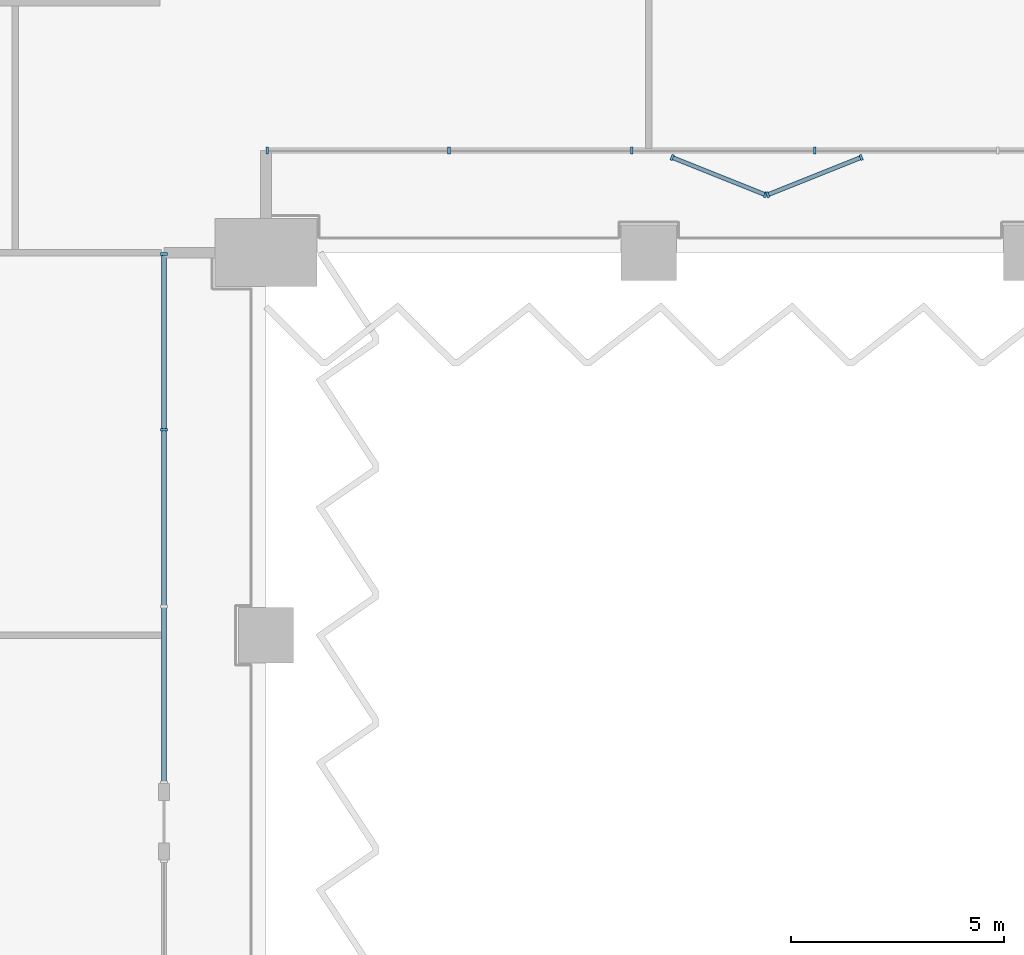
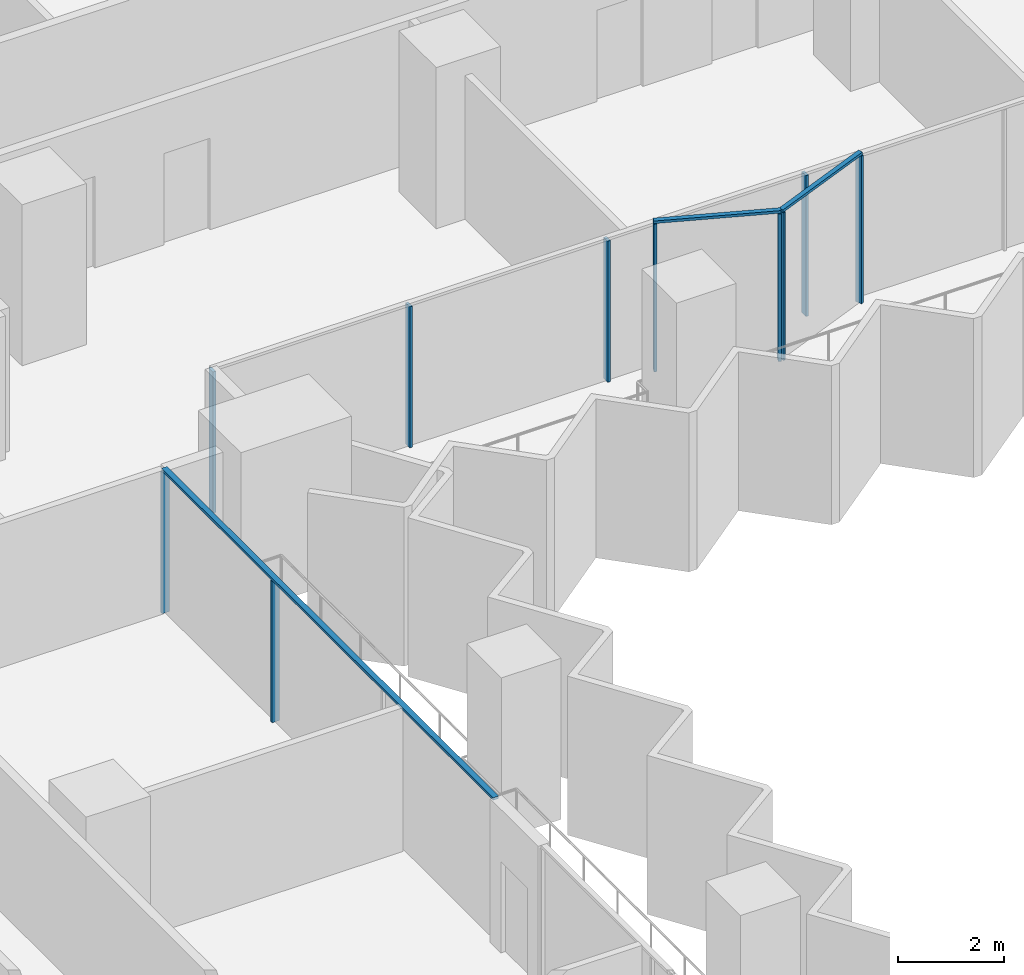
# One storey, part 4 of 28: 13 members, 4 elements without a shape of their own.
"""IFC4 building model written with IfcOpenShell, lengths in metres."""

from ifc_helpers import new_model, si_unit, direction, frame, origin, origin_2d, place, context, subcontext, project, spatial, rectangle, extrude, material, material_profile, profile_set, type_object, element, aggregate, save


model = new_model("IFC4")

# Units and contexts
model_context = context("Model", 3, precision=1e-05, world=origin(), true_north=direction((0.0, 1.0)))
body_context = subcontext(model_context, "Body", "Model", "MODEL_VIEW")
ifc_project = project(units=[si_unit("LENGTHUNIT", "METRE"), si_unit("AREAUNIT", "SQUARE_METRE"), si_unit("VOLUMEUNIT", "CUBIC_METRE"), si_unit("PLANEANGLEUNIT", "RADIAN"), si_unit("MASSUNIT", "GRAM", prefix="KILO")], contexts=[model_context])

# Site, building, storey
site_placement = place(None, origin())
site = spatial("IfcSite", under=ifc_project, at=site_placement, CompositionType="ELEMENT")
building_placement = place(site_placement, origin())
building = spatial("IfcBuilding", under=site, at=building_placement, Name="Hunhe Ridgeline Campus", CompositionType="ELEMENT")
storey_placement = place(building_placement, frame((0.0, 0.0, 35.800048828125)))
storey = spatial("IfcBuildingStorey", under=building, at=storey_placement, Name="L07", CompositionType="ELEMENT", Elevation=35.800048828125)

# Curtain wall, members
ifc_material = material(Name="Aluminium 6063", Category="aluminium")
curtain_wall_type_1 = type_object("IfcCurtainWallType", Name="Curtain wall CW-1", PredefinedType="NOTDEFINED", material=ifc_material)
curtain_wall_1_placement = place(storey_placement, origin())
curtain_wall_1 = element("IfcCurtainWall", 1, at=curtain_wall_1_placement, inside=storey, type_object=curtain_wall_type_1, Name="Curtain wall 12", PredefinedType="NOTDEFINED")
ifc_material_profile_1 = material_profile(ifc_material, rectangle(XDim=0.159912109375, YDim=0.06005859375, at=origin_2d()))
ifc_profile_set_1 = profile_set([ifc_material_profile_1], Name="Aluminium 6063")
member_type_1 = type_object("IfcMemberType", Name="CW-1 aluminium mullion", PredefinedType="MULLION", material=ifc_profile_set_1)
member_1_placement = place(storey_placement, frame((42.59912109375, 49.839599609375, 0.0), z_axis=(0.0, 0.0, 1.0), x_axis=(-1.0, 1.60239e-07, 0.0)))
member_1 = element("IfcMember", 2, at=member_1_placement, type_object=member_type_1, Name="CW-1 mullion 3", PredefinedType="MULLION", context=body_context, shape_type="SweptSolid", body=[
    extrude(rectangle(XDim=0.159912109375, YDim=0.06005859375, at=origin_2d()), origin(), (0.0, 0.0, 1.0), 3.239990234375),
])
member_2_placement = place(storey_placement, frame((42.59912109375, 53.97021484375, 0.0), z_axis=(0.0, 0.0, 1.0), x_axis=(-1.0, 1.60239e-07, 0.0)))
member_2 = element("IfcMember", 3, at=member_2_placement, type_object=member_type_1, Name="CW-1 mullion 4", PredefinedType="MULLION", context=body_context, shape_type="SweptSolid", body=[
    extrude(rectangle(XDim=0.159912109375, YDim=0.06005859375, at=origin_2d()), origin(), (0.0, 0.0, 1.0), 3.239990234375),
])

curtain_wall_2_placement = place(storey_placement, origin())
curtain_wall_2 = element("IfcCurtainWall", 4, at=curtain_wall_2_placement, inside=storey, type_object=curtain_wall_type_1, Name="Curtain wall 13", PredefinedType="NOTDEFINED")
member_3_placement = place(storey_placement, frame((45.029541015625, 56.40087890625, 0.0), z_axis=(0.0, 0.0, 1.0), x_axis=(-3.602063e-06, 0.999999999994, 0.0)))
member_3 = element("IfcMember", 5, at=member_3_placement, type_object=member_type_1, Name="CW-1 mullion 1", PredefinedType="MULLION", context=body_context, shape_type="SweptSolid", body=[
    extrude(rectangle(XDim=0.159912109375, YDim=0.06005859375, at=origin_2d()), origin(), (0.0, 0.0, 1.0), 3.239990234375),
])
member_4_placement = place(storey_placement, frame((49.302490234375, 56.40087890625, 0.0), z_axis=(0.0, 0.0, 1.0), x_axis=(-3.602063e-06, 0.999999999994, 0.0)))
member_4 = element("IfcMember", 6, at=member_4_placement, type_object=member_type_1, Name="CW-1 mullion 2", PredefinedType="MULLION", context=body_context, shape_type="SweptSolid", body=[
    extrude(rectangle(XDim=0.159912109375, YDim=0.06005859375, at=origin_2d()), origin(), (0.0, 0.0, 1.0), 3.239990234375),
])
member_5_placement = place(storey_placement, frame((53.605712890625, 56.40087890625, 0.0), z_axis=(0.0, 0.0, 1.0), x_axis=(-3.602063e-06, 0.999999999994, 0.0)))
member_5 = element("IfcMember", 7, at=member_5_placement, type_object=member_type_1, Name="CW-1 mullion 3", PredefinedType="MULLION", context=body_context, shape_type="SweptSolid", body=[
    extrude(rectangle(XDim=0.159912109375, YDim=0.06005859375, at=origin_2d()), origin(), (0.0, 0.0, 1.0), 3.239990234375),
])
member_6_placement = place(storey_placement, frame((57.90869140625, 56.40087890625, 0.0), z_axis=(0.0, 0.0, 1.0), x_axis=(-3.602063e-06, 0.999999999994, 0.0)))
member_6 = element("IfcMember", 8, at=member_6_placement, type_object=member_type_1, Name="CW-1 mullion 4", PredefinedType="MULLION", context=body_context, shape_type="SweptSolid", body=[
    extrude(rectangle(XDim=0.159912109375, YDim=0.06005859375, at=origin_2d()), origin(), (0.0, 0.0, 1.0), 3.239990234375),
])
aggregate(curtain_wall_2, [member_3, member_4, member_5, member_6])

# Member
ifc_material_profile_2 = material_profile(ifc_material, rectangle(XDim=0.1201171875, YDim=0.06005859375, at=origin_2d()))
ifc_profile_set_2 = profile_set([ifc_material_profile_2], Name="Aluminium 6063")
member_type_2 = type_object("IfcMemberType", Name="CW-1 aluminium transom", PredefinedType="USERDEFINED", material=ifc_profile_set_2)
member_7_placement = place(storey_placement, frame((42.59912109375, 41.518310546875, 3.27001953125), z_axis=(0.0, 1.0, 0.0), x_axis=(-1.0, 0.0, 0.0)))
member_7 = element("IfcMember", 9, at=member_7_placement, type_object=member_type_2, Name="CW-1 transom 1", ObjectType="TRANSOM", PredefinedType="USERDEFINED", context=body_context, shape_type="SweptSolid", body=[
    extrude(rectangle(XDim=0.1201171875, YDim=0.06005859375, at=origin_2d()), origin(), (0.0, 0.0, 1.0), 12.481689453125),
])

aggregate(curtain_wall_1, [member_7, member_1, member_2])

# Curtain wall, members
curtain_wall_type_2 = type_object("IfcCurtainWallType", Name="Curtain wall CW-2", PredefinedType="NOTDEFINED", material=ifc_material)
curtain_wall_3_placement = place(storey_placement, origin())
curtain_wall_3 = element("IfcCurtainWall", 10, at=curtain_wall_3_placement, inside=storey, type_object=curtain_wall_type_2, Name="Curtain wall B01a", PredefinedType="NOTDEFINED")
ifc_material_profile_3 = material_profile(ifc_material, rectangle(XDim=0.139892578125, YDim=0.06005859375, at=origin_2d()))
ifc_profile_set_3 = profile_set([ifc_material_profile_3], Name="Aluminium 6063")
member_type_3 = type_object("IfcMemberType", Name="CW-2 aluminium mullion", PredefinedType="MULLION", material=ifc_profile_set_3)
member_8_placement = place(storey_placement, frame((54.55224609375, 56.23974609375, 0.0), z_axis=(0.0, 0.0, 1.0), x_axis=(0.371387403557, 0.928477999997, 0.0)))
member_8 = element("IfcMember", 11, at=member_8_placement, type_object=member_type_3, Name="CW-2 mullion 1", PredefinedType="MULLION", context=body_context, shape_type="SweptSolid", body=[
    extrude(rectangle(XDim=0.139892578125, YDim=0.06005859375, at=origin_2d()), origin(), (0.0, 0.0, 1.0), 3.389892578125),
])
member_9_placement = place(storey_placement, frame((56.74658203125, 55.362060546875, 0.0), z_axis=(0.0, 0.0, 1.0), x_axis=(0.371387403557, 0.928477999997, 0.0)))
member_9 = element("IfcMember", 12, at=member_9_placement, type_object=member_type_3, Name="CW-2 mullion 2", PredefinedType="MULLION", context=body_context, shape_type="SweptSolid", body=[
    extrude(rectangle(XDim=0.139892578125, YDim=0.06005859375, at=origin_2d()), origin(), (0.0, 0.0, 1.0), 3.389892578125),
])

curtain_wall_4_placement = place(storey_placement, origin())
curtain_wall_4 = element("IfcCurtainWall", 13, at=curtain_wall_4_placement, inside=storey, type_object=curtain_wall_type_2, Name="Curtain wall B01b", PredefinedType="NOTDEFINED")
member_10_placement = place(storey_placement, frame((56.80224609375, 55.362060546875, 0.0), z_axis=(0.0, 0.0, 1.0), x_axis=(-0.371393949135, 0.928475381766, 0.0)))
member_10 = element("IfcMember", 14, at=member_10_placement, type_object=member_type_3, Name="CW-2 mullion 1", PredefinedType="MULLION", context=body_context, shape_type="SweptSolid", body=[
    extrude(rectangle(XDim=0.139892578125, YDim=0.06005859375, at=origin_2d()), origin(), (0.0, 0.0, 1.0), 3.389892578125),
])
member_11_placement = place(storey_placement, frame((58.99658203125, 56.23974609375, 0.0), z_axis=(0.0, 0.0, 1.0), x_axis=(-0.371393949135, 0.928475381766, 0.0)))
member_11 = element("IfcMember", 15, at=member_11_placement, type_object=member_type_3, Name="CW-2 mullion 2", PredefinedType="MULLION", context=body_context, shape_type="SweptSolid", body=[
    extrude(rectangle(XDim=0.139892578125, YDim=0.06005859375, at=origin_2d()), origin(), (0.0, 0.0, 1.0), 3.389892578125),
])

# Member
ifc_material_profile_4 = material_profile(ifc_material, rectangle(XDim=0.10009765625, YDim=0.06005859375, at=origin_2d()))
ifc_profile_set_4 = profile_set([ifc_material_profile_4], Name="Aluminium 6063")
member_type_4 = type_object("IfcMemberType", Name="CW-2 aluminium transom", PredefinedType="USERDEFINED", material=ifc_profile_set_4)
member_12_placement = place(storey_placement, frame((54.5244140625, 56.2509765625, 3.419921875), z_axis=(0.928455845856, -0.371442784687, 0.0), x_axis=(0.371442784687, 0.928455845856, 0.0)))
member_12 = element("IfcMember", 16, at=member_12_placement, type_object=member_type_4, Name="CW-2 transom 1", ObjectType="TRANSOM", PredefinedType="USERDEFINED", context=body_context, shape_type="SweptSolid", body=[
    extrude(rectangle(XDim=0.10009765625, YDim=0.06005859375, at=origin_2d()), origin(), (0.0, 0.0, 1.0), 2.42333984375),
])

aggregate(curtain_wall_3, [member_12, member_8, member_9])

member_13_placement = place(storey_placement, frame((56.7744140625, 55.350830078125, 3.419921875), z_axis=(0.928455845856, 0.371442784687, 0.0), x_axis=(-0.371442784687, 0.928455845856, 0.0)))
member_13 = element("IfcMember", 17, at=member_13_placement, type_object=member_type_4, Name="CW-2 transom 1", ObjectType="TRANSOM", PredefinedType="USERDEFINED", context=body_context, shape_type="SweptSolid", body=[
    extrude(rectangle(XDim=0.10009765625, YDim=0.06005859375, at=origin_2d()), origin(), (0.0, 0.0, 1.0), 2.42333984375),
])

aggregate(curtain_wall_4, [member_13, member_10, member_11])

save(model, "model.ifc")
